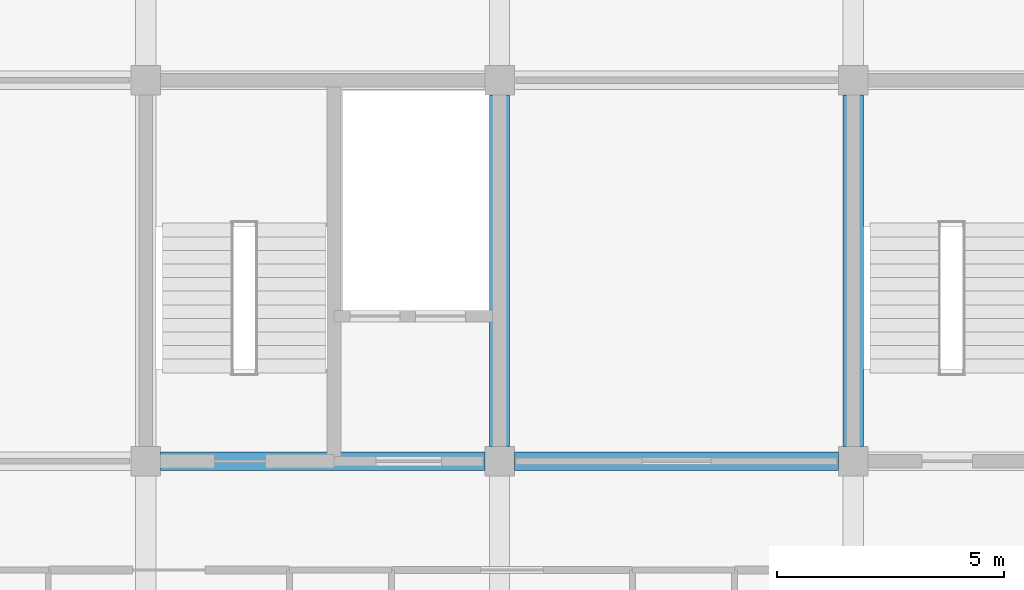
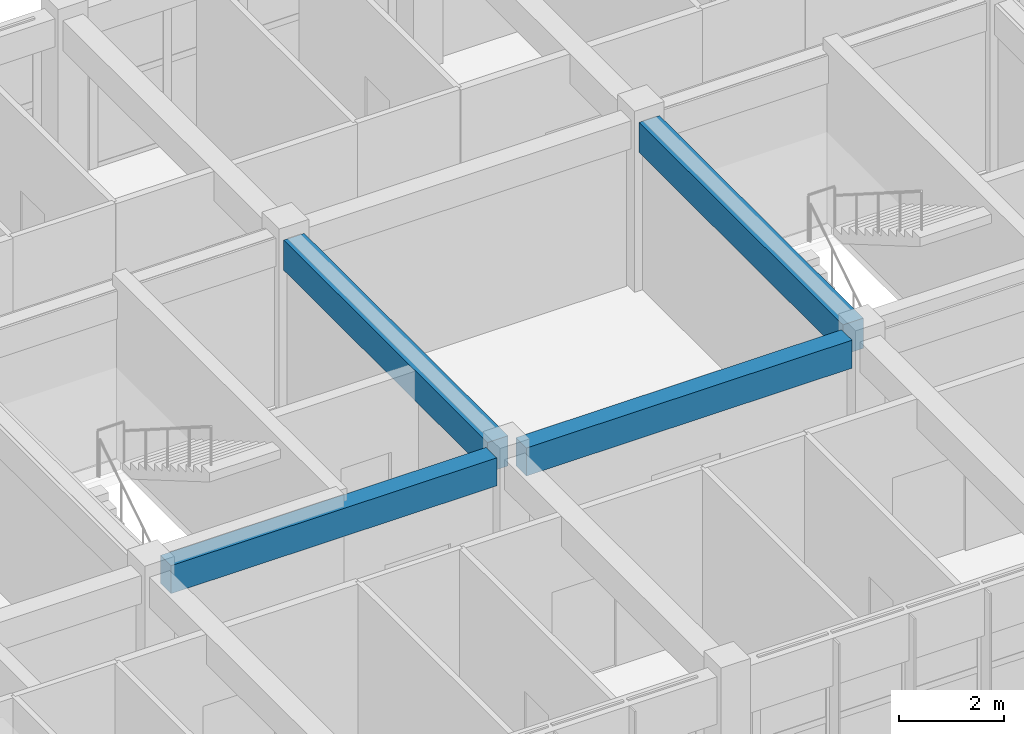
# One storey, part 23 of 63: 4 beams.
"""IFC4 building model written with IfcOpenShell, lengths in metres."""

from ifc_helpers import new_model, si_unit, direction, frame, origin, origin_2d, place, context, subcontext, project, spatial, rectangle, extrude, material, material_profile, profile_set, type_object, element, save


model = new_model("IFC4")

# Units and contexts
model_context = context("Model", 3, precision=1e-05, world=origin(), true_north=direction((0.0, 1.0)))
body_context = subcontext(model_context, "Body", "Model", "MODEL_VIEW")
ifc_project = project(units=[si_unit("LENGTHUNIT", "METRE"), si_unit("AREAUNIT", "SQUARE_METRE"), si_unit("VOLUMEUNIT", "CUBIC_METRE"), si_unit("PLANEANGLEUNIT", "RADIAN"), si_unit("MASSUNIT", "GRAM", prefix="KILO")], contexts=[model_context])

# Site, building, storey
site_placement = place(None, origin())
site = spatial("IfcSite", under=ifc_project, at=site_placement, CompositionType="ELEMENT")
building_placement = place(site_placement, origin())
building = spatial("IfcBuilding", under=site, at=building_placement, Name="Zizhar Promenade General Hospital", CompositionType="ELEMENT")
storey_placement = place(building_placement, frame((0.0, 0.0, 18.0)))
storey = spatial("IfcBuildingStorey", under=building, at=storey_placement, Name="L04", CompositionType="ELEMENT", Elevation=18.0)

# Beams
ifc_material_1 = material(Name="Concrete C35/45", Category="concrete")
ifc_material_profile_1 = material_profile(ifc_material_1, rectangle(XDim=0.39990234375, YDim=0.64990234375, at=origin_2d()))
ifc_profile_set_1 = profile_set([ifc_material_profile_1], Name="Concrete C35/45")
beam_type_1 = type_object("IfcBeamType", Name="BM-RC-400x650", PredefinedType="BEAM", material=ifc_profile_set_1)
beam_1_placement = place(storey_placement, frame((78.324951171875, 8.39990234375, 3.5849609375), z_axis=(1.0, 0.0, 0.0), x_axis=(0.0, 1.0, 0.0)))
element("IfcBeam", 1, at=beam_1_placement, inside=storey, type_object=beam_type_1, Name="Grid Beam X L04 (10-1)", PredefinedType="BEAM", context=body_context, shape_type="SweptSolid", body=[
    extrude(rectangle(XDim=0.39990234375, YDim=0.64990234375, at=origin_2d()), origin(), (0.0, 0.0, 1.0), 7.150146484375),
])
beam_2_placement = place(storey_placement, frame((86.125, 8.39990234375, 3.5849609375), z_axis=(1.0, 0.0, 0.0), x_axis=(0.0, 1.0, 0.0)))
element("IfcBeam", 2, at=beam_2_placement, inside=storey, type_object=beam_type_1, Name="Grid Beam X L04 (11-1)", PredefinedType="BEAM", context=body_context, shape_type="SweptSolid", body=[
    extrude(rectangle(XDim=0.39990234375, YDim=0.64990234375, at=origin_2d()), origin(), (0.0, 0.0, 1.0), 7.14990234375),
])
ifc_material_2 = material(Name="Concrete C35/45", Category="concrete")
ifc_material_profile_2 = material_profile(ifc_material_2, rectangle(XDim=0.449951171875, YDim=0.699951171875, at=origin_2d()))
ifc_profile_set_2 = profile_set([ifc_material_profile_2], Name="Concrete C35/45")
beam_type_2 = type_object("IfcBeamType", Name="BM-RC-450x700", PredefinedType="BEAM", material=ifc_profile_set_2)
for number, where, z_axis, x_axis, name in (
    (3, (85.800048828125, 8.72509765625, 3.56005859375), (0.0, 1.0, 0.0), (-1.0, 0.0, 0.0), "Grid Beam Y L04 (11-1)"),
    (4, (93.60009765625, 8.72509765625, 3.56005859375), (0.0, 1.0, 0.0), (-1.0, 0.0, 0.0), "Grid Beam Y L04 (12-1)"),
):
    element("IfcBeam", number, at=place(storey_placement, frame(where, z_axis=z_axis, x_axis=x_axis)), inside=storey, type_object=beam_type_2, Name=name, PredefinedType="BEAM", context=body_context, shape_type="SweptSolid", body=[
        extrude(rectangle(XDim=0.449951171875, YDim=0.699951171875, at=origin_2d()), origin(), (0.0, 0.0, 1.0), 7.75),
    ])

save(model, "model.ifc")
